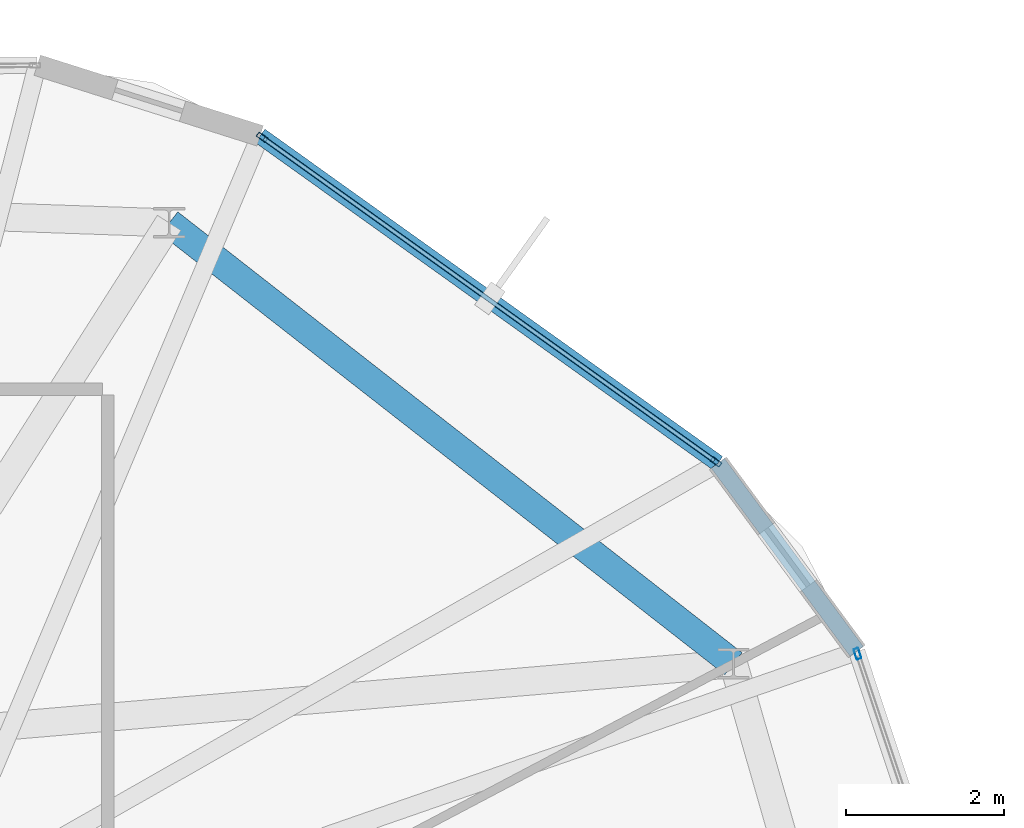
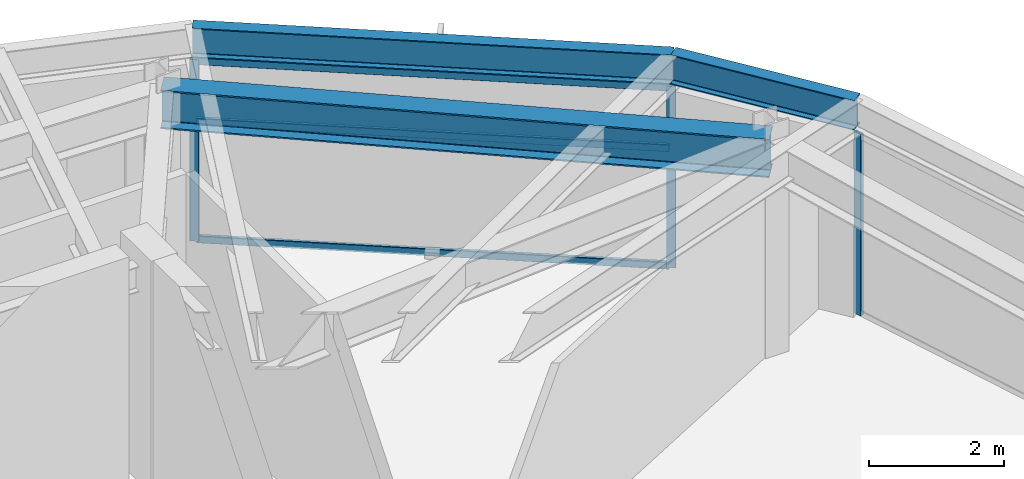
# One storey, part 14 of 22: 6 members, 3 beams, 2 elements without a shape of their own.
"""IFC4 building model written with IfcOpenShell, lengths in metres."""

from ifc_helpers import new_model, si_unit, direction, frame, origin, origin_2d, place, context, subcontext, project, spatial, hollow_rectangle, i_section, extrude, material, layer, layer_set, material_profile, profile_set, type_object, element, aggregate, save


model = new_model("IFC4")

# Units and contexts
model_context = context("Model", 3, precision=1e-05, world=origin(), true_north=direction((0.0, 1.0)))
body_context = subcontext(model_context, "Body", "Model", "MODEL_VIEW")
ifc_project = project(units=[si_unit("LENGTHUNIT", "METRE"), si_unit("AREAUNIT", "SQUARE_METRE"), si_unit("VOLUMEUNIT", "CUBIC_METRE"), si_unit("PLANEANGLEUNIT", "RADIAN"), si_unit("MASSUNIT", "GRAM", prefix="KILO")], contexts=[model_context])

# Site, building, storey
site_placement = place(None, origin())
site = spatial("IfcSite", under=ifc_project, at=site_placement, CompositionType="ELEMENT")
building_placement = place(site_placement, origin())
building = spatial("IfcBuilding", under=site, at=building_placement, Name="Soratama Intermodal Tower", CompositionType="ELEMENT")
storey_placement = place(building_placement, frame((0.0, 0.0, 301.449951171875)))
storey = spatial("IfcBuildingStorey", under=building, at=storey_placement, Name="L76", CompositionType="ELEMENT", Elevation=301.449951171875)

# Beams
ifc_material_1 = material(Name="Structural steel ASTM A992 Grade 50", Category="steel")
ifc_material_profile_1 = material_profile(ifc_material_1, i_section(OverallWidth=0.35498046875, OverallDepth=0.695068359375, WebThickness=0.015380859375, FlangeThickness=0.02490234375, FilletRadius=0.01611328125, at=origin_2d()), Name="W27X146")
ifc_profile_set_1 = profile_set([ifc_material_profile_1], Name="Structural steel ASTM A992 Grade 50")
beam_type_1 = type_object("IfcBeamType", Name="BM-RING-W27X146", PredefinedType="BEAM", material=ifc_profile_set_1)
beam_1_placement = place(storey_placement, frame((54.18701171875, 33.219970703125, 3.547607421875), z_axis=(-0.78801907717, 0.615650821502, 0.0), x_axis=(-0.615650821502, -0.78801907717, 0.0)))
element("IfcBeam", 1, at=beam_1_placement, inside=storey, type_object=beam_type_1, Name="BM-L76-RING-01", PredefinedType="BEAM", context=body_context, shape_type="SweptSolid", body=[
    extrude(i_section(OverallWidth=0.35498046875, OverallDepth=0.695068359375, WebThickness=0.015380859375, FlangeThickness=0.02490234375, FilletRadius=0.01611328125, at=origin_2d()), origin(), (0.0, 0.0, 1.0), 9.084716796875),
])
ifc_material_2 = material(Name="Structural steel ASTM A992 Grade 50", Category="steel")
ifc_material_profile_2 = material_profile(ifc_material_2, i_section(OverallWidth=0.2099609375, OverallDepth=0.537109375, WebThickness=0.010986328125, FlangeThickness=0.017333984375, FilletRadius=0.012939453125, at=origin_2d()), Name="W21X68")
ifc_profile_set_2 = profile_set([ifc_material_profile_2], Name="Structural steel ASTM A992 Grade 50")
beam_type_2 = type_object("IfcBeamType", Name="BM-SPN-W21X68", PredefinedType="SPANDREL", material=ifc_profile_set_2)
beam_2_placement = place(storey_placement, frame((55.7509765625, 33.3759765625, 3.62646484375), z_axis=(-0.593886540996, 0.804548803009, 0.0), x_axis=(-0.804548803009, -0.593886540996, 0.0)))
element("IfcBeam", 2, at=beam_2_placement, inside=storey, type_object=beam_type_2, Name="BS-L76-CRN09", PredefinedType="SPANDREL", context=body_context, shape_type="SweptSolid", body=[
    extrude(i_section(OverallWidth=0.2099609375, OverallDepth=0.537109375, WebThickness=0.010986328125, FlangeThickness=0.017333984375, FilletRadius=0.012939453125, at=origin_2d()), origin(), (0.0, 0.0, 1.0), 2.966796875),
])
beam_3_placement = place(storey_placement, frame((53.989013671875, 35.762939453125, 3.62646484375), z_axis=(-0.813328958123, 0.58180409579, 0.0), x_axis=(-0.58180409579, -0.813328958123, 0.0)))
element("IfcBeam", 3, at=beam_3_placement, inside=storey, type_object=beam_type_2, Name="BS-L76-F10", PredefinedType="SPANDREL", context=body_context, shape_type="SweptSolid", body=[
    extrude(i_section(OverallWidth=0.2099609375, OverallDepth=0.537109375, WebThickness=0.010986328125, FlangeThickness=0.017333984375, FilletRadius=0.012939453125, at=origin_2d()), origin(), (0.0, 0.0, 1.0), 7.139892578125),
])

# Curtain wall, member
ifc_material_3 = material(Name="Double-glazed aluminium curtain wall", Category="aluminium")
ifc_layer = layer(ifc_material_3, 0.159912109375)
ifc_layer_set = layer_set([ifc_layer], Name="Double-glazed aluminium curtain wall")
curtain_wall_type = type_object("IfcCurtainWallType", Name="CW-SYS-6", PredefinedType="NOTDEFINED", material=ifc_layer_set)
curtain_wall_1_placement = place(storey_placement, origin())
curtain_wall_1 = element("IfcCurtainWall", 4, at=curtain_wall_1_placement, inside=storey, type_object=curtain_wall_type, Name="L76 Faceted Curtain Wall F09", PredefinedType="NOTDEFINED")
ifc_material_4 = material(Name="Anodised aluminium AA 6063-T6", Category="aluminium")
ifc_material_profile_3 = material_profile(ifc_material_4, hollow_rectangle(XDim=0.06494140625, YDim=0.139892578125, WallThickness=0.0048828125, InnerFilletRadius=0.0048828125, OuterFilletRadius=0.010009765625, at=origin_2d()), Name="CWM140X65X5")
ifc_profile_set_3 = profile_set([ifc_material_profile_3], Name="Anodised aluminium AA 6063-T6")
member_type_1 = type_object("IfcMemberType", Name="MT-CWM-6", PredefinedType="MULLION", material=ifc_profile_set_3)
member_1_placement = place(storey_placement, frame((55.760009765625, 33.34716796875, 0.0), z_axis=(0.0, 0.0, 1.0), x_axis=(-0.948767296909, -0.315975657791, 0.0)))
member_1 = element("IfcMember", 5, at=member_1_placement, type_object=member_type_1, Name="CW-6 mullion 2", PredefinedType="MULLION", context=body_context, shape_type="SweptSolid", body=[
    extrude(hollow_rectangle(XDim=0.06494140625, YDim=0.139892578125, WallThickness=0.0048828125, InnerFilletRadius=0.0048828125, OuterFilletRadius=0.010009765625, at=origin_2d()), origin(), (0.0, 0.0, 1.0), 3.274169921875),
])
aggregate(curtain_wall_1, [member_1])

# Curtain wall, members
curtain_wall_2_placement = place(storey_placement, origin())
curtain_wall_2 = element("IfcCurtainWall", 6, at=curtain_wall_2_placement, inside=storey, type_object=curtain_wall_type, Name="L76 Faceted Curtain Wall F10", PredefinedType="NOTDEFINED")
member_2_placement = place(storey_placement, frame((53.965087890625, 35.7802734375, 0.0), z_axis=(0.0, 0.0, 1.0), x_axis=(-0.581838183727, -0.813304572689, 0.0)))
member_2 = element("IfcMember", 7, at=member_2_placement, type_object=member_type_1, Name="CW-6 mullion 1", PredefinedType="MULLION", context=body_context, shape_type="SweptSolid", body=[
    extrude(hollow_rectangle(XDim=0.06494140625, YDim=0.139892578125, WallThickness=0.0048828125, InnerFilletRadius=0.0048828125, OuterFilletRadius=0.010009765625, at=origin_2d()), origin(), (0.0, 0.0, 1.0), 3.274169921875),
])
member_3_placement = place(storey_placement, frame((48.206787109375, 39.89990234375, 0.0), z_axis=(0.0, 0.0, 1.0), x_axis=(-0.581838183727, -0.813304572689, 0.0)))
member_3 = element("IfcMember", 8, at=member_3_placement, type_object=member_type_1, Name="CW-6 mullion 2", PredefinedType="MULLION", context=body_context, shape_type="SweptSolid", body=[
    extrude(hollow_rectangle(XDim=0.06494140625, YDim=0.139892578125, WallThickness=0.0048828125, InnerFilletRadius=0.0048828125, OuterFilletRadius=0.010009765625, at=origin_2d()), origin(), (0.0, 0.0, 1.0), 3.274169921875),
])
ifc_material_5 = material(Name="Anodised aluminium AA 6063-T6", Category="aluminium")
ifc_material_profile_4 = material_profile(ifc_material_5, hollow_rectangle(XDim=0.06005859375, YDim=0.1298828125, WallThickness=0.0048828125, InnerFilletRadius=0.0048828125, OuterFilletRadius=0.010009765625, at=origin_2d()), Name="CWT130X60X5")
ifc_profile_set_4 = profile_set([ifc_material_profile_4], Name="Anodised aluminium AA 6063-T6")
member_type_2 = type_object("IfcMemberType", Name="TT-CWT-2", PredefinedType="USERDEFINED", material=ifc_profile_set_4)
member_4_placement = place(storey_placement, frame((53.940673828125, 35.7978515625, 0.030029296875), z_axis=(-0.813310284244, 0.581830199923, 0.0), x_axis=(-0.581830199923, -0.813310284244, 0.0)))
member_4 = element("IfcMember", 9, at=member_4_placement, type_object=member_type_2, Name="CW-6 transom 1.1", ObjectType="TRANSOM", PredefinedType="USERDEFINED", context=body_context, shape_type="SweptSolid", body=[
    extrude(hollow_rectangle(XDim=0.06005859375, YDim=0.1298828125, WallThickness=0.0048828125, InnerFilletRadius=0.0048828125, OuterFilletRadius=0.010009765625, at=origin_2d()), origin(), (0.0, 0.0, 1.0), 7.02001953125),
])
member_5_placement = place(storey_placement, frame((53.940673828125, 35.7978515625, 2.150146484375), z_axis=(-0.813310284244, 0.581830199923, 0.0), x_axis=(-0.581830199923, -0.813310284244, 0.0)))
member_5 = element("IfcMember", 10, at=member_5_placement, type_object=member_type_2, Name="CW-6 transom 1.2", ObjectType="TRANSOM", PredefinedType="USERDEFINED", context=body_context, shape_type="SweptSolid", body=[
    extrude(hollow_rectangle(XDim=0.06005859375, YDim=0.1298828125, WallThickness=0.0048828125, InnerFilletRadius=0.0048828125, OuterFilletRadius=0.010009765625, at=origin_2d()), origin(), (0.0, 0.0, 1.0), 7.02001953125),
])
member_6_placement = place(storey_placement, frame((53.940673828125, 35.7978515625, 3.244140625), z_axis=(-0.813310284244, 0.581830199923, 0.0), x_axis=(-0.581830199923, -0.813310284244, 0.0)))
member_6 = element("IfcMember", 11, at=member_6_placement, type_object=member_type_2, Name="CW-6 transom 1.3", ObjectType="TRANSOM", PredefinedType="USERDEFINED", context=body_context, shape_type="SweptSolid", body=[
    extrude(hollow_rectangle(XDim=0.06005859375, YDim=0.1298828125, WallThickness=0.0048828125, InnerFilletRadius=0.0048828125, OuterFilletRadius=0.010009765625, at=origin_2d()), origin(), (0.0, 0.0, 1.0), 7.02001953125),
])
aggregate(curtain_wall_2, [member_2, member_3, member_4, member_5, member_6])

save(model, "model.ifc")
